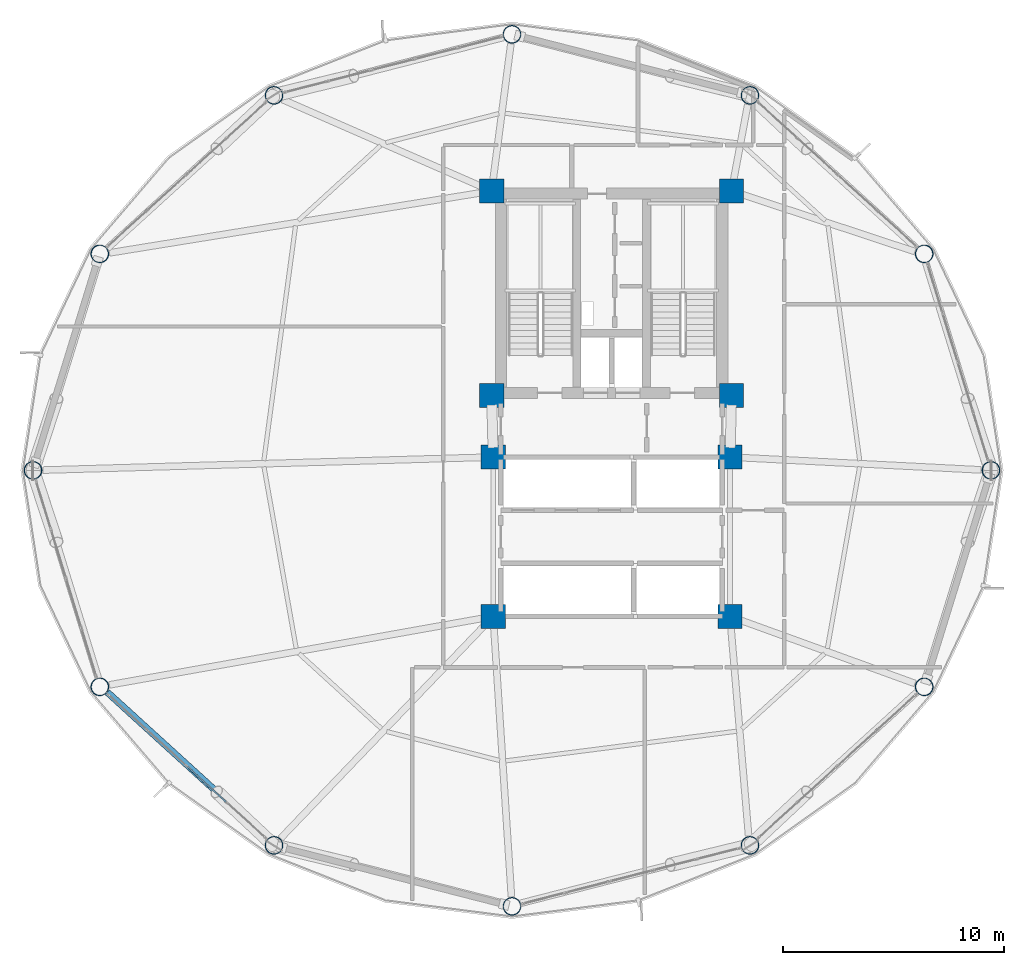
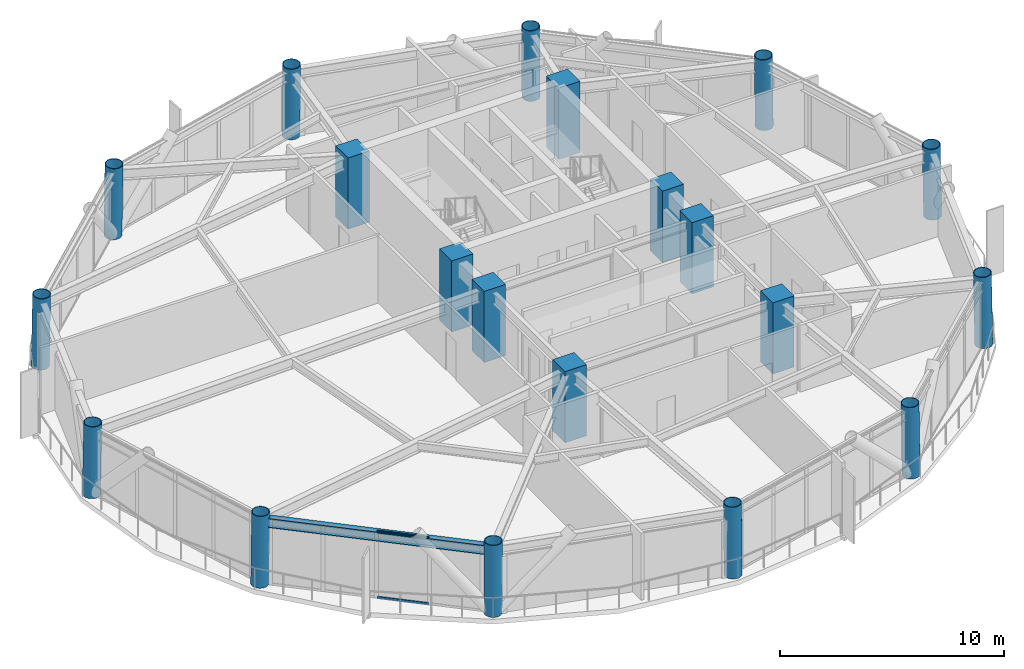
# One storey, part 1 of 25: 20 columns, 2 members, 1 beam, 1 element without a shape of its own.
"""IFC4 building model written with IfcOpenShell, lengths in metres."""

from ifc_helpers import new_model, si_unit, direction, frame, origin, origin_2d, place, context, subcontext, project, spatial, rectangle, hollow_rectangle, hollow_circle, i_section, extrude, material, layer, layer_set, material_profile, profile_set, type_object, element, aggregate, save


model = new_model("IFC4")

# Units and contexts
model_context = context("Model", 3, precision=1e-05, world=origin(), true_north=direction((0.0, 1.0)))
body_context = subcontext(model_context, "Body", "Model", "MODEL_VIEW")
ifc_project = project(units=[si_unit("LENGTHUNIT", "METRE"), si_unit("AREAUNIT", "SQUARE_METRE"), si_unit("VOLUMEUNIT", "CUBIC_METRE"), si_unit("PLANEANGLEUNIT", "RADIAN"), si_unit("MASSUNIT", "GRAM", prefix="KILO")], contexts=[model_context])

# Site, building, storey
site_placement = place(None, origin())
site = spatial("IfcSite", under=ifc_project, at=site_placement, CompositionType="ELEMENT")
building_placement = place(site_placement, origin())
building = spatial("IfcBuilding", under=site, at=building_placement, Name="Varnakorn Sky Granary", CompositionType="ELEMENT")
storey_placement = place(building_placement, frame((0.0, 0.0, 99.300048828125)))
storey = spatial("IfcBuildingStorey", under=building, at=storey_placement, Name="L24", CompositionType="ELEMENT", Elevation=99.300048828125)

# Columns
ifc_material_1 = material(Name="Steel S460M", Category="steel")
ifc_material_profile_1 = material_profile(ifc_material_1, hollow_circle(Radius=0.406494140625, WallThickness=0.030029296875, at=origin_2d()), Name="CHS 813x30")
ifc_profile_set_1 = profile_set([ifc_material_profile_1], Name="Steel S460M")
column_type_1 = type_object("IfcColumnType", Name="COL-DC-Z2", PredefinedType="COLUMN", material=ifc_profile_set_1)
for number, where, z_axis, x_axis, name in (
    (1, (20.14990234375, 0.0, 0.0), (-0.017260533083, 0.0, 0.999851025902), (0.0, -1.0, 0.0), "Drum Perimeter Column DC01 L24"),
    (2, (17.132568359375, 9.785888671875, 0.0), (-0.014992999982, -0.006047596631, 0.999869309723), (0.374076451569, -0.927397869515, 0.0), "Drum Perimeter Column DC02 L24"),
):
    element("IfcColumn", number, at=place(storey_placement, frame(where, z_axis=z_axis, x_axis=x_axis)), inside=storey, type_object=column_type_1, Name=name, PredefinedType="COLUMN", context=body_context, shape_type="SweptSolid", body=[
        extrude(hollow_circle(Radius=0.406494140625, WallThickness=0.030029296875, at=origin_2d()), origin(), (0.0, 0.0, 1.0), 3.87548828125),
    ])
for number, where, z_axis, x_axis, name in (
    (3, (9.257568359375, 16.94970703125, 0.0), (-0.008630758912, -0.010457707878, 0.999908068948), (0.771259229251, -0.636521171129, 0.0), "Drum Perimeter Column DC03 L24"),
    (4, (-1.5, 19.70703125, 0.0), (0.0, -0.012158879352, 0.999926078094), (1.0, 0.0, 0.0), "Drum Perimeter Column DC04 L24"),
    (5, (-12.257568359375, 16.94970703125, 0.0), (0.008630758912, -0.010457707878, 0.999908068948), (0.771259229251, 0.636521171129, 0.0), "Drum Perimeter Column DC05 L24"),
):
    element("IfcColumn", number, at=place(storey_placement, frame(where, z_axis=z_axis, x_axis=x_axis)), inside=storey, type_object=column_type_1, Name=name, PredefinedType="COLUMN", context=body_context, shape_type="SweptSolid", body=[
        extrude(hollow_circle(Radius=0.406494140625, WallThickness=0.030029296875, at=origin_2d()), origin(), (0.0, 0.0, 1.0), 3.875244140625),
    ])
for number, where, z_axis, x_axis, name in (
    (6, (-20.132568359375, 9.785888671875, 0.0), (0.014992999982, -0.006047596631, 0.999869309723), (0.374076451569, 0.927397869515, 0.0), "Drum Perimeter Column DC06 L24"),
    (7, (-23.14990234375, 0.0, 0.0), (0.017260533083, 0.0, 0.999851025902), (0.0, 1.0, 0.0), "Drum Perimeter Column DC07 L24"),
    (8, (-20.132568359375, -9.785888671875, 0.0), (0.014992999982, 0.006047596631, 0.999869309723), (-0.374076451569, 0.927397869515, 0.0), "Drum Perimeter Column DC08 L24"),
):
    element("IfcColumn", number, at=place(storey_placement, frame(where, z_axis=z_axis, x_axis=x_axis)), inside=storey, type_object=column_type_1, Name=name, PredefinedType="COLUMN", context=body_context, shape_type="SweptSolid", body=[
        extrude(hollow_circle(Radius=0.406494140625, WallThickness=0.030029296875, at=origin_2d()), origin(), (0.0, 0.0, 1.0), 3.87548828125),
    ])
for number, where, z_axis, x_axis, name in (
    (9, (-12.257568359375, -16.94970703125, 0.0), (0.008630758912, 0.010457707878, 0.999908068948), (-0.771259229251, 0.636521171129, 0.0), "Drum Perimeter Column DC09 L24"),
    (10, (-1.5, -19.70703125, 0.0), (0.0, 0.012158879352, 0.999926078094), (-1.0, 0.0, 0.0), "Drum Perimeter Column DC10 L24"),
    (11, (9.257568359375, -16.94970703125, 0.0), (-0.008630758912, 0.010457707878, 0.999908068948), (-0.771259229251, -0.636521171129, 0.0), "Drum Perimeter Column DC11 L24"),
):
    element("IfcColumn", number, at=place(storey_placement, frame(where, z_axis=z_axis, x_axis=x_axis)), inside=storey, type_object=column_type_1, Name=name, PredefinedType="COLUMN", context=body_context, shape_type="SweptSolid", body=[
        extrude(hollow_circle(Radius=0.406494140625, WallThickness=0.030029296875, at=origin_2d()), origin(), (0.0, 0.0, 1.0), 3.875244140625),
    ])
column_placement = place(storey_placement, frame((17.132568359375, -9.785888671875, 0.0), z_axis=(-0.014992999982, 0.006047596631, 0.999869309723), x_axis=(-0.374076451569, -0.927397869515, 0.0)))
element("IfcColumn", 12, at=column_placement, inside=storey, type_object=column_type_1, Name="Drum Perimeter Column DC12 L24", PredefinedType="COLUMN", context=body_context, shape_type="SweptSolid", body=[
    extrude(hollow_circle(Radius=0.406494140625, WallThickness=0.030029296875, at=origin_2d()), origin(), (0.0, 0.0, 1.0), 3.87548828125),
])
ifc_material_2 = material(Name="Concrete C60/75", Category="concrete")
ifc_material_profile_2 = material_profile(ifc_material_2, rectangle(XDim=1.10009765625, YDim=1.10009765625, at=origin_2d()), Name="RC 1100x1100")
ifc_profile_set_2 = profile_set([ifc_material_profile_2], Name="Concrete C60/75")
column_type_2 = type_object("IfcColumnType", Name="COL-MC-Z2", PredefinedType="COLUMN", material=ifc_profile_set_2)
for number, where, z_axis, x_axis, name in (
    (13, (-2.419921875, 12.6201171875, 0.0), (0.0, 0.0, 1.0), (1.0, 0.0, 0.0), "Backbone Mega-Column MC1 L24"),
    (14, (8.419921875, 12.6201171875, 0.0), (0.0, 0.0, 1.0), (1.0, 0.0, 0.0), "Backbone Mega-Column MC2 L24"),
    (15, (-2.419921875, 3.3798828125, 0.0), (0.0, 0.0, 1.0), (1.0, 0.0, 0.0), "Backbone Mega-Column MC3 L24"),
    (16, (8.419921875, 3.3798828125, 0.0), (0.0, 0.0, 1.0), (1.0, 0.0, 0.0), "Backbone Mega-Column MC4 L24"),
    (17, (-2.35009765625, 0.60009765625, 0.0), (0.0, 0.0, 1.0), (1.0, 0.0, 0.0), "Backbone Mega-Column MC5 L24"),
    (18, (8.35009765625, 0.60009765625, 0.0), (0.0, 0.0, 1.0), (1.0, 0.0, 0.0), "Backbone Mega-Column MC6 L24"),
    (19, (-2.35009765625, -6.60009765625, 0.0), (0.0, 0.0, 1.0), (1.0, 0.0, 0.0), "Backbone Mega-Column MC7 L24"),
    (20, (8.35009765625, -6.60009765625, 0.0), (0.0, 0.0, 1.0), (1.0, 0.0, 0.0), "Backbone Mega-Column MC8 L24"),
):
    element("IfcColumn", number, at=place(storey_placement, frame(where, z_axis=z_axis, x_axis=x_axis)), inside=storey, type_object=column_type_2, Name=name, PredefinedType="COLUMN", context=body_context, shape_type="SweptSolid", body=[
        extrude(rectangle(XDim=1.10009765625, YDim=1.10009765625, at=origin_2d()), origin(), (0.0, 0.0, 1.0), 3.875),
    ])

# Beam
ifc_material_3 = material(Name="Steel S355JR", Category="steel")
ifc_material_profile_3 = material_profile(ifc_material_3, i_section(OverallWidth=0.300048828125, OverallDepth=0.5, WebThickness=0.014404296875, FlangeThickness=0.028076171875, at=origin_2d()), Name="HE 500 B")
ifc_profile_set_3 = profile_set([ifc_material_profile_3], Name="Steel S355JR")
beam_type = type_object("IfcBeamType", Name="BM-SPD-Z2", PredefinedType="SPANDREL", material=ifc_profile_set_3)
beam_placement = place(storey_placement, frame((-19.784912109375, -10.02587890625, 3.389892578125), z_axis=(0.739474794298, -0.673184245655, 0.0), x_axis=(0.673184245655, 0.739474794298, 0.0)))
element("IfcBeam", 21, at=beam_placement, inside=storey, type_object=beam_type, Name="Perimeter Spandrel Ring Beam RB08 L24", PredefinedType="SPANDREL", context=body_context, shape_type="SweptSolid", body=[
    extrude(i_section(OverallWidth=0.300048828125, OverallDepth=0.5, WebThickness=0.014404296875, FlangeThickness=0.028076171875, at=origin_2d()), origin(), (0.0, 0.0, 1.0), 9.833251953125),
])

# Curtain wall, members
ifc_material_4 = material(Name="Anodised Bronze Aluminium Alloy 6063-T6", Category="aluminium")
ifc_layer = layer(ifc_material_4, 0.18994140625, Name="Anodised Bronze Aluminium Alloy 6063-T6")
ifc_layer_set = layer_set([ifc_layer], Name="Anodised Bronze Aluminium Alloy 6063-T6")
curtain_wall_type = type_object("IfcCurtainWallType", Name="CW-FRM-1", PredefinedType="USERDEFINED", material=ifc_layer_set)
curtain_wall_placement = place(storey_placement, origin())
curtain_wall = element("IfcCurtainWall", 22, at=curtain_wall_placement, inside=storey, type_object=curtain_wall_type, Name="Unitised Curtain Wall CW3 CW-L24-B08", ObjectType="CURTAIN WALL", PredefinedType="USERDEFINED")
ifc_material_profile_4 = material_profile(ifc_material_4, hollow_rectangle(XDim=0.070068359375, YDim=0.139892578125, WallThickness=0.00341796875, at=origin_2d()), Name="ALU TRAN 70x140")
ifc_profile_set_4 = profile_set([ifc_material_profile_4], Name="Anodised Bronze Aluminium Alloy 6063-T6")
member_type = type_object("IfcMemberType", Name="CW-FRM-1-TRAN", PredefinedType="USERDEFINED", material=ifc_profile_set_4)
member_1_placement = place(storey_placement, frame((-14.4248046875, -14.978271484375, 0.034912109375), z_axis=(-0.739705802851, 0.672930401474, 0.0), x_axis=(-0.672930401474, -0.739705802851, 0.0)))
member_1 = element("IfcMember", 23, at=member_1_placement, type_object=member_type, Name="CW3 transom 2.1", ObjectType="TRANSOM", PredefinedType="USERDEFINED", context=body_context, shape_type="SweptSolid", body=[
    extrude(hollow_rectangle(XDim=0.070068359375, YDim=0.139892578125, WallThickness=0.00341796875, at=origin_2d()), origin(), (0.0, 0.0, 1.0), 2.358154296875),
])
member_2_placement = place(storey_placement, frame((-14.4248046875, -14.978271484375, 3.60498046875), z_axis=(-0.739705802851, 0.672930401474, 0.0), x_axis=(-0.672930401474, -0.739705802851, 0.0)))
member_2 = element("IfcMember", 24, at=member_2_placement, type_object=member_type, Name="CW3 transom 2.2", ObjectType="TRANSOM", PredefinedType="USERDEFINED", context=body_context, shape_type="SweptSolid", body=[
    extrude(hollow_rectangle(XDim=0.070068359375, YDim=0.139892578125, WallThickness=0.00341796875, at=origin_2d()), origin(), (0.0, 0.0, 1.0), 2.358154296875),
])
aggregate(curtain_wall, [member_1, member_2])

save(model, "model.ifc")
